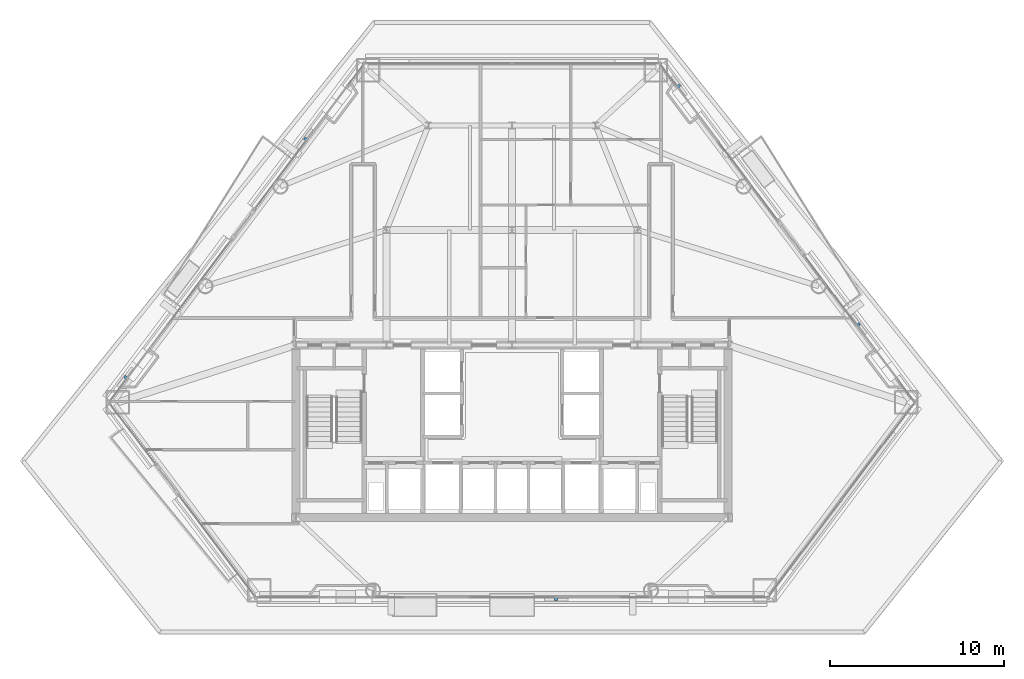
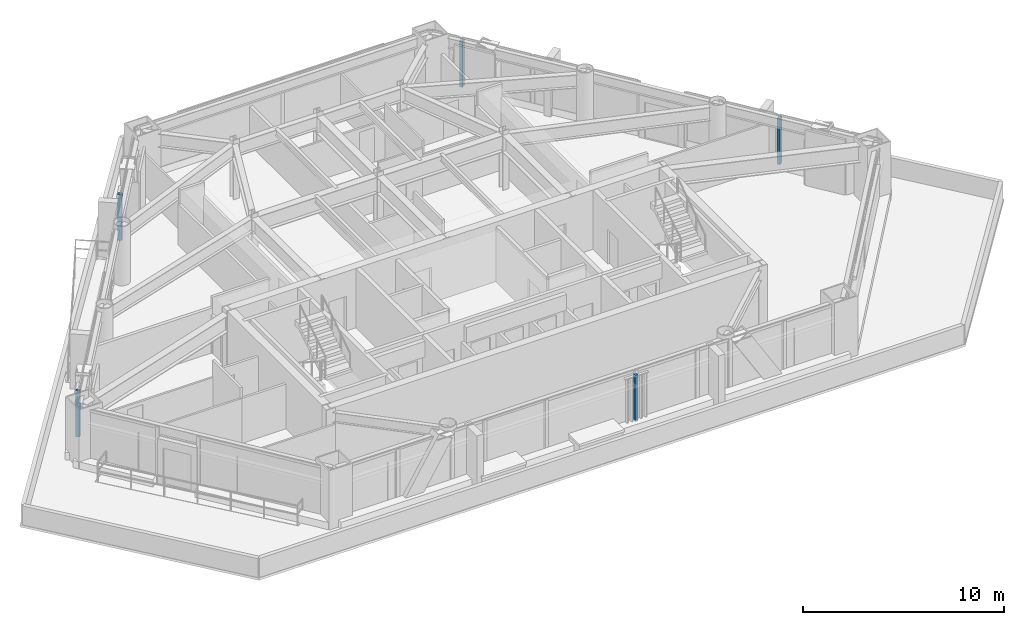
# One storey, part 11 of 13: 5 discrete accessories.
"""IFC4 building model written with IfcOpenShell, lengths in metres."""

from ifc_helpers import new_model, si_unit, direction, frame, origin, origin_2d, place, context, subcontext, project, spatial, rectangle, extrude, source, transform, mapped, material, layer, layer_set, type_object, type_shapes, element, save


model = new_model("IFC4")

# Units and contexts
model_context = context("Model", 3, precision=1e-05, world=origin(), true_north=direction((0.0, 1.0)))
body_context = subcontext(model_context, "Body", "Model", "MODEL_VIEW")
ifc_project = project(units=[si_unit("LENGTHUNIT", "METRE"), si_unit("AREAUNIT", "SQUARE_METRE"), si_unit("VOLUMEUNIT", "CUBIC_METRE"), si_unit("PLANEANGLEUNIT", "RADIAN"), si_unit("MASSUNIT", "GRAM", prefix="KILO")], contexts=[model_context])

# Site, building, storey
site_placement = place(None, origin())
site = spatial("IfcSite", under=ifc_project, at=site_placement, CompositionType="ELEMENT")
building_placement = place(site_placement, origin())
building = spatial("IfcBuilding", under=site, at=building_placement, Name="Talgorran Terracotta Tower", CompositionType="ELEMENT")
storey_placement = place(building_placement, frame((0.0, 0.0, 24.300048828125)))
storey = spatial("IfcBuildingStorey", under=building, at=storey_placement, Name="L05", CompositionType="ELEMENT", Elevation=24.300048828125)

# Discrete accessories
ifc_material = material(Name="Stainless Steel Grade 316", Category="steel")
ifc_layer = layer(ifc_material, 0.080078125, Name="ACC_BAGUETTE_BRKT")
ifc_layer_set = layer_set([ifc_layer], Name="Stainless Steel Grade 316")
discrete_accessory_type = type_object("IfcDiscreteAccessoryType", Name="ACC_BAGUETTE_BRKT", PredefinedType="BRACKET", material=ifc_layer_set)
shared_shape = source(origin(), body_context, "Body", "SweptSolid", [
    extrude(rectangle(XDim=0.159912109375, YDim=0.219970703125, at=origin_2d()), origin(), (0.0, 0.0, 1.0), 2.800048828125),
])
type_shapes(discrete_accessory_type, [shared_shape])
for number, where, z_axis, x_axis, name in (
    (1, (2.531494140625, -18.75, 0.35009765625), (0.0, 0.0, 1.0), (1.0, 0.0, 0.0), "BRK-L05-F1"),
    (2, (19.86474609375, -3.044677734375, 0.35009765625), (0.0, 0.0, 1.0), (-0.601801084241, 0.798646013579, 0.0), "BRK-L05-F40"),
    (3, (9.54736328125, 10.647216796875, 0.35009765625), (0.0, 0.0, 1.0), (-0.601815023152, 0.798635510047, 0.0), "BRK-L05-F41"),
    (4, (-11.830810546875, 7.616943359375, 0.35009765625), (0.0, 0.0, 1.0), (-0.601801084241, -0.798646013579, 0.0), "BRK-L05-F60"),
    (5, (-22.148193359375, -6.07470703125, 0.35009765625), (0.0, 0.0, 1.0), (-0.601815023152, -0.798635510047, 0.0), "BRK-L05-F61"),
):
    element("IfcDiscreteAccessory", number, at=place(storey_placement, frame(where, z_axis=z_axis, x_axis=x_axis)), inside=storey, type_object=discrete_accessory_type, Name=name, PredefinedType="BRACKET", context=body_context, shape_type="MappedRepresentation", body=[
        mapped(shared_shape, transform((0.0, 0.0, 0.0), scale=1.0)),
    ])

save(model, "model.ifc")
